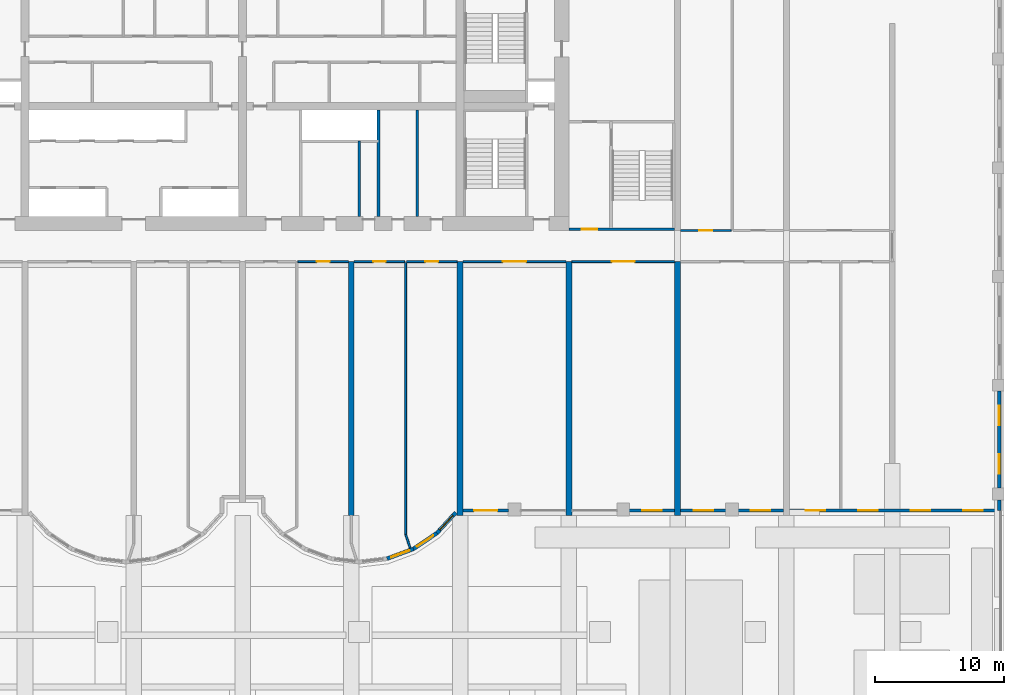
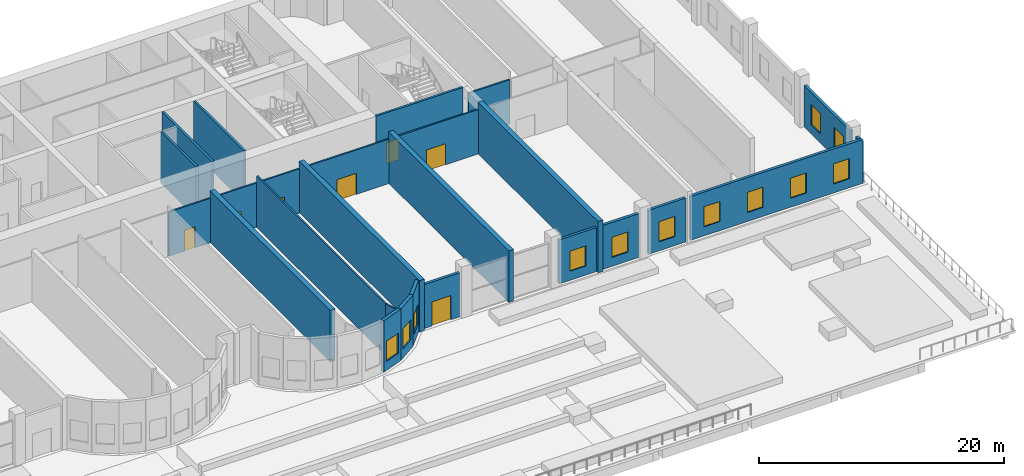
# One storey, part 12 of 20: 26 walls, 12 windows, 8 doors, 20 openings.
"""IFC4 building model written with IfcOpenShell, lengths in metres."""

from ifc_helpers import new_model, si_unit, direction, frame, frame_2d, origin, place, context, subcontext, project, spatial, rectangle, extrude, source, transform, mapped, material, layer, layer_set, type_object, element, fill, save


model = new_model("IFC4")

# Units and contexts
model_context = context("Model", 3, precision=1e-05, world=origin(), true_north=direction((0.0, 1.0)))
body_context = subcontext(model_context, "Body", "Model", "MODEL_VIEW")
ifc_project = project(units=[si_unit("LENGTHUNIT", "METRE"), si_unit("AREAUNIT", "SQUARE_METRE"), si_unit("VOLUMEUNIT", "CUBIC_METRE"), si_unit("PLANEANGLEUNIT", "RADIAN"), si_unit("MASSUNIT", "GRAM", prefix="KILO")], contexts=[model_context])

# Site, building, storey
site_placement = place(None, origin())
site = spatial("IfcSite", under=ifc_project, at=site_placement, CompositionType="ELEMENT")
building_placement = place(site_placement, origin())
building = spatial("IfcBuilding", under=site, at=building_placement, Name="Vanashikhar Sky Hotel", CompositionType="ELEMENT")
storey_placement = place(building_placement, frame((0.0, 0.0, 6.0)))
storey = spatial("IfcBuildingStorey", under=building, at=storey_placement, Name="L01", CompositionType="ELEMENT", Elevation=6.0)

# Walls
ifc_material_1 = material(Name="Concrete M80", Category="concrete")
ifc_layer_1 = layer(ifc_material_1, 0.449951171875)
ifc_layer_set_1 = layer_set([ifc_layer_1], Name="RC shear wall 450 Concrete M80")
wall_type_1 = type_object("IfcWallType", Name="RC shear wall 450 Concrete M80", PredefinedType="SHEAR", material=ifc_layer_set_1)
shared_shape_1 = source(origin(), body_context, "Body", "SweptSolid", [
    extrude(rectangle(XDim=19.60009765625, YDim=0.449951171875, at=frame_2d((9.800048828125, 0.0))), origin(), (0.0, 0.0, 1.0), 5.1201171875),
])
for number, where, z_axis, x_axis, name in (
    (1, (58.800048828125, 0.0, 0.0), (0.0, 0.0, 1.0), (0.0, 1.0, 0.0), "CW-L01-XW08-1"),
    (2, (67.199951171875, 0.0, 0.0), (0.0, 0.0, 1.0), (0.0, 1.0, 0.0), "CW-L01-XW09-1"),
    (3, (75.60009765625, 0.0, 0.0), (0.0, 0.0, 1.0), (0.0, 1.0, 0.0), "CW-L01-XW10-1"),
    (4, (84.0, 0.0, 0.0), (0.0, 0.0, 1.0), (0.0, 1.0, 0.0), "CW-L01-XW11-1"),
):
    element("IfcWall", number, at=place(storey_placement, frame(where, z_axis=z_axis, x_axis=x_axis)), inside=storey, type_object=wall_type_1, Name=name, PredefinedType="SHEAR", context=body_context, shape_type="MappedRepresentation", body=[
        mapped(shared_shape_1, transform((0.0, 0.0, 0.0), scale=1.0)),
    ])

# Wall, opening, window
ifc_material_2 = material(Name="Concrete M50", Category="concrete")
ifc_layer_2 = layer(ifc_material_2, 0.300048828125)
ifc_layer_set_2 = layer_set([ifc_layer_2], Name="Lobe wall 300")
wall_type_2 = type_object("IfcWallType", Name="Lobe wall 300", PredefinedType="SOLIDWALL", material=ifc_layer_set_2)
shared_shape_2 = source(origin(), body_context, "Body", "SweptSolid", [
    extrude(rectangle(XDim=2.17578125, YDim=0.300048828125, at=frame_2d((1.087890625, 0.0))), origin(), (0.0, 0.0, 1.0), 5.1201171875),
])
wall_1_placement = place(storey_placement, frame((63.59912109375, -2.58349609375, 0.0), z_axis=(0.0, 0.0, 1.0), x_axis=(0.829625727223, 0.558319937607, 0.0)))
wall_1 = element("IfcWall", 5, at=wall_1_placement, inside=storey, type_object=wall_type_2, Name="Lobe wall", PredefinedType="SOLIDWALL", context=body_context, shape_type="MappedRepresentation", body=[
    mapped(shared_shape_2, transform((0.0, 0.0, 0.0), scale=1.0)),
])
shared_shape_3 = source(origin(), body_context, "Body", "SweptSolid", [
    extrude(rectangle(XDim=1.5, YDim=2.0, at=frame_2d((0.75, 1.0))), frame((0.0, 0.16015625, 0.0), z_axis=(0.0, -1.0, 0.0), x_axis=(1.0, 0.0, 0.0)), (0.0, 0.0, 1.0), 0.320068359375),
])
opening_1_placement = place(wall_1_placement, frame((0.337890625, 0.0, 0.89990234375)))
opening_1 = element("IfcOpeningElement", 6, at=opening_1_placement, cuts=wall_1, Name="Opening WN-2", PredefinedType="OPENING", context=body_context, shape_type="MappedRepresentation", body=[
    mapped(shared_shape_3, transform((0.0, 0.0, 0.0), scale=1.0)),
])
ifc_material_3 = material(Name="Glass", Category="glass")
window_type = type_object("IfcWindowType", Name="Lobe window 1500 x 2000", PartitioningType="SINGLE_PANEL", PredefinedType="WINDOW", material=ifc_material_3)
shared_shape_4 = source(origin(), body_context, "Body", "SweptSolid", [
    extrude(rectangle(XDim=1.5, YDim=2.0, at=frame_2d((0.75, 1.0))), frame((0.0, 0.030029296875, 0.0), z_axis=(0.0, -1.0, 0.0), x_axis=(1.0, 0.0, 0.0)), (0.0, 0.0, 1.0), 0.06005859375),
])
window_1_placement = place(opening_1_placement, origin())
window_1 = element("IfcWindow", 7, at=window_1_placement, inside=storey, type_object=window_type, Name="Window WN-2", OverallHeight=2.0, OverallWidth=1.5, PartitioningType="SINGLE_PANEL", PredefinedType="WINDOW", context=body_context, shape_type="MappedRepresentation", body=[
    mapped(shared_shape_4, transform((0.0, 0.0, 0.0), scale=1.0)),
])
fill(opening_1, window_1)

shared_shape_5 = source(origin(), body_context, "Body", "SweptSolid", [
    extrude(rectangle(XDim=2.175537109375, YDim=0.300048828125, at=frame_2d((1.087890625, 0.0))), origin(), (0.0, 0.0, 1.0), 5.1201171875),
])
wall_2_placement = place(storey_placement, frame((61.5595703125, -3.34033203125, 0.0), z_axis=(0.0, 0.0, 1.0), x_axis=(0.937531979054, 0.347899106424, 0.0)))
wall_2 = element("IfcWall", 8, at=wall_2_placement, inside=storey, type_object=wall_type_2, Name="Lobe wall", PredefinedType="SOLIDWALL", context=body_context, shape_type="MappedRepresentation", body=[
    mapped(shared_shape_5, transform((0.0, 0.0, 0.0), scale=1.0)),
])
opening_2_placement = place(wall_2_placement, frame((0.337890625, 0.0, 0.89990234375)))
opening_2 = element("IfcOpeningElement", 9, at=opening_2_placement, cuts=wall_2, Name="Opening WN-2", PredefinedType="OPENING", context=body_context, shape_type="MappedRepresentation", body=[
    mapped(shared_shape_3, transform((0.0, 0.0, 0.0), scale=1.0)),
])
window_2_placement = place(opening_2_placement, origin())
window_2 = element("IfcWindow", 10, at=window_2_placement, inside=storey, type_object=window_type, Name="Window WN-2", OverallHeight=2.0, OverallWidth=1.5, PartitioningType="SINGLE_PANEL", PredefinedType="WINDOW", context=body_context, shape_type="MappedRepresentation", body=[
    mapped(shared_shape_4, transform((0.0, 0.0, 0.0), scale=1.0)),
])
fill(opening_2, window_2)

shared_shape_6 = source(origin(), body_context, "Body", "SweptSolid", [
    extrude(rectangle(XDim=2.162109375, YDim=0.300048828125, at=frame_2d((1.0810546875, 0.0))), origin(), (0.0, 0.0, 1.0), 5.1201171875),
])
wall_3_placement = place(storey_placement, frame((65.404296875, -1.36865234375, 0.0), z_axis=(0.0, 0.0, 1.0), x_axis=(0.67537173084, 0.737477474355, 0.0)))
wall_3 = element("IfcWall", 11, at=wall_3_placement, inside=storey, type_object=wall_type_2, Name="Lobe wall", PredefinedType="SOLIDWALL", context=body_context, shape_type="MappedRepresentation", body=[
    mapped(shared_shape_6, transform((0.0, 0.0, 0.0), scale=1.0)),
])
opening_3_placement = place(wall_3_placement, frame((0.3310546875, 0.0, 0.89990234375)))
opening_3 = element("IfcOpeningElement", 12, at=opening_3_placement, cuts=wall_3, Name="Opening WN-2", PredefinedType="OPENING", context=body_context, shape_type="MappedRepresentation", body=[
    mapped(shared_shape_3, transform((0.0, 0.0, 0.0), scale=1.0)),
])
window_3_placement = place(opening_3_placement, origin())
window_3 = element("IfcWindow", 13, at=window_3_placement, inside=storey, type_object=window_type, Name="Window WN-2", OverallHeight=2.0, OverallWidth=1.5, PartitioningType="SINGLE_PANEL", PredefinedType="WINDOW", context=body_context, shape_type="MappedRepresentation", body=[
    mapped(shared_shape_4, transform((0.0, 0.0, 0.0), scale=1.0)),
])
fill(opening_3, window_3)

# Wall, opening, door
ifc_layer_3 = layer(ifc_material_2, 0.25)
ifc_layer_set_3 = layer_set([ifc_layer_3], Name="Rear and end board-marked wall 250")
wall_type_3 = type_object("IfcWallType", Name="Rear and end board-marked wall 250", PredefinedType="SOLIDWALL", material=ifc_layer_set_3)
shared_shape_7 = source(origin(), body_context, "Body", "SweptSolid", [
    extrude(rectangle(XDim=3.52490234375, YDim=0.25, at=frame_2d((1.762451171875, 0.0))), origin(), (0.0, 0.0, 1.0), 4.3701171875),
])
wall_4_placement = place(storey_placement, frame((67.425048828125, 0.375, 0.0), z_axis=(0.0, 0.0, 1.0), x_axis=(1.0, 0.0, 0.0)))
wall_4 = element("IfcWall", 14, at=wall_4_placement, inside=storey, type_object=wall_type_3, Name="Podium external wall", PredefinedType="SOLIDWALL", context=body_context, shape_type="MappedRepresentation", body=[
    mapped(shared_shape_7, transform((0.0, 0.0, 0.0), scale=1.0)),
])
shared_shape_8 = source(origin(), body_context, "Body", "SweptSolid", [
    extrude(rectangle(XDim=1.800048828125, YDim=2.39990234375, at=frame_2d((0.89990234375, 1.199951171875))), frame((0.0, 0.135009765625, 0.0), z_axis=(0.0, -1.0, 0.0), x_axis=(1.0, 0.0, 0.0)), (0.0, 0.0, 1.0), 0.27001953125),
])
opening_4_placement = place(wall_4_placement, frame((0.862548828125, 0.0, 0.0)))
opening_4 = element("IfcOpeningElement", 15, at=opening_4_placement, cuts=wall_4, Name="Opening DX-2-101", PredefinedType="OPENING", context=body_context, shape_type="MappedRepresentation", body=[
    mapped(shared_shape_8, transform((0.0, 0.0, 0.0), scale=1.0)),
])
ifc_material_4 = material(Name="Aluminium", Category="aluminium")
door_type_1 = type_object("IfcDoorType", Name="Garden double door 1800 x 2400", OperationType="NOTDEFINED", PredefinedType="DOOR", material=ifc_material_4)
shared_shape_9 = source(origin(), body_context, "Body", "SweptSolid", [
    extrude(rectangle(XDim=1.800048828125, YDim=2.39990234375, at=frame_2d((0.89990234375, 1.199951171875))), frame((0.0, 0.02490234375, 0.0), z_axis=(0.0, -1.0, 0.0), x_axis=(1.0, 0.0, 0.0)), (0.0, 0.0, 1.0), 0.050048828125),
])
door_1_placement = place(opening_4_placement, origin())
door_1 = element("IfcDoor", 16, at=door_1_placement, inside=storey, type_object=door_type_1, Name="Garden double door", OperationType="DOUBLE_DOOR_SINGLE_SWING", OverallHeight=2.39990234375, OverallWidth=1.800048828125, PredefinedType="DOOR", context=body_context, shape_type="MappedRepresentation", body=[
    mapped(shared_shape_9, transform((0.0, 0.0, 0.0), scale=1.0)),
])
fill(opening_4, door_1)

# Wall, opening, window
wall_5_placement = place(storey_placement, frame((80.25, 0.375, 0.0), z_axis=(0.0, 0.0, 1.0), x_axis=(1.0, 0.0, 0.0)))
wall_5 = element("IfcWall", 17, at=wall_5_placement, inside=storey, type_object=wall_type_3, Name="Podium external wall", PredefinedType="SOLIDWALL", context=body_context, shape_type="MappedRepresentation", body=[
    mapped(shared_shape_7, transform((0.0, 0.0, 0.0), scale=1.0)),
])
shared_shape_10 = source(origin(), body_context, "Body", "SweptSolid", [
    extrude(rectangle(XDim=1.5, YDim=2.0, at=frame_2d((0.75, 1.0))), frame((0.0, 0.135009765625, 0.0), z_axis=(0.0, -1.0, 0.0), x_axis=(1.0, 0.0, 0.0)), (0.0, 0.0, 1.0), 0.27001953125),
])
opening_5_placement = place(wall_5_placement, frame((1.012451171875, 0.0, 0.89990234375)))
opening_5 = element("IfcOpeningElement", 18, at=opening_5_placement, cuts=wall_5, Name="Opening WN-2", PredefinedType="OPENING", context=body_context, shape_type="MappedRepresentation", body=[
    mapped(shared_shape_10, transform((0.0, 0.0, 0.0), scale=1.0)),
])
window_4_placement = place(opening_5_placement, origin())
window_4 = element("IfcWindow", 19, at=window_4_placement, inside=storey, type_object=window_type, Name="Window WN-2", OverallHeight=2.0, OverallWidth=1.5, PartitioningType="SINGLE_PANEL", PredefinedType="WINDOW", context=body_context, shape_type="MappedRepresentation", body=[
    mapped(shared_shape_4, transform((0.0, 0.0, 0.0), scale=1.0)),
])
fill(opening_5, window_4)

wall_6_placement = place(storey_placement, frame((84.22509765625, 0.375, 0.0), z_axis=(0.0, 0.0, 1.0), x_axis=(1.0, 0.0, 0.0)))
wall_6 = element("IfcWall", 20, at=wall_6_placement, inside=storey, type_object=wall_type_3, Name="Podium external wall", PredefinedType="SOLIDWALL", context=body_context, shape_type="MappedRepresentation", body=[
    mapped(shared_shape_7, transform((0.0, 0.0, 0.0), scale=1.0)),
])
opening_6_placement = place(wall_6_placement, frame((1.012451171875, 0.0, 0.89990234375)))
opening_6 = element("IfcOpeningElement", 21, at=opening_6_placement, cuts=wall_6, Name="Opening WN-2", PredefinedType="OPENING", context=body_context, shape_type="MappedRepresentation", body=[
    mapped(shared_shape_10, transform((0.0, 0.0, 0.0), scale=1.0)),
])
window_5_placement = place(opening_6_placement, origin())
window_5 = element("IfcWindow", 22, at=window_5_placement, inside=storey, type_object=window_type, Name="Window WN-2", OverallHeight=2.0, OverallWidth=1.5, PartitioningType="SINGLE_PANEL", PredefinedType="WINDOW", context=body_context, shape_type="MappedRepresentation", body=[
    mapped(shared_shape_4, transform((0.0, 0.0, 0.0), scale=1.0)),
])
fill(opening_6, window_5)

shared_shape_11 = source(origin(), body_context, "Body", "SweptSolid", [
    extrude(rectangle(XDim=3.525146484375, YDim=0.25, at=frame_2d((1.7626953125, 0.0))), origin(), (0.0, 0.0, 1.0), 4.3701171875),
])
wall_7_placement = place(storey_placement, frame((88.64990234375, 0.375, 0.0), z_axis=(0.0, 0.0, 1.0), x_axis=(1.0, 0.0, 0.0)))
wall_7 = element("IfcWall", 23, at=wall_7_placement, inside=storey, type_object=wall_type_3, Name="Podium external wall", PredefinedType="SOLIDWALL", context=body_context, shape_type="MappedRepresentation", body=[
    mapped(shared_shape_11, transform((0.0, 0.0, 0.0), scale=1.0)),
])
opening_7_placement = place(wall_7_placement, frame((1.012451171875, 0.0, 0.89990234375)))
opening_7 = element("IfcOpeningElement", 24, at=opening_7_placement, cuts=wall_7, Name="Opening WN-2", PredefinedType="OPENING", context=body_context, shape_type="MappedRepresentation", body=[
    mapped(shared_shape_10, transform((0.0, 0.0, 0.0), scale=1.0)),
])
window_6_placement = place(opening_7_placement, origin())
window_6 = element("IfcWindow", 25, at=window_6_placement, inside=storey, type_object=window_type, Name="Window WN-2", OverallHeight=2.0, OverallWidth=1.5, PartitioningType="SINGLE_PANEL", PredefinedType="WINDOW", context=body_context, shape_type="MappedRepresentation", body=[
    mapped(shared_shape_4, transform((0.0, 0.0, 0.0), scale=1.0)),
])
fill(opening_7, window_6)

# Wall, openings, windows
shared_shape_12 = source(origin(), body_context, "Body", "SweptSolid", [
    extrude(rectangle(XDim=16.199951171875, YDim=0.25, at=frame_2d((8.10009765625, 0.0))), origin(), (0.0, 0.0, 1.0), 4.3701171875),
])
wall_8_placement = place(storey_placement, frame((92.625, 0.375, 0.0), z_axis=(0.0, 0.0, 1.0), x_axis=(1.0, 0.0, 0.0)))
wall_8 = element("IfcWall", 26, at=wall_8_placement, inside=storey, type_object=wall_type_3, Name="Podium external wall", PredefinedType="SOLIDWALL", context=body_context, shape_type="MappedRepresentation", body=[
    mapped(shared_shape_12, transform((0.0, 0.0, 0.0), scale=1.0)),
])
opening_8_placement = place(wall_8_placement, frame((1.27490234375, 0.0, 0.89990234375)))
opening_8 = element("IfcOpeningElement", 27, at=opening_8_placement, cuts=wall_8, Name="Opening WN-2", PredefinedType="OPENING", context=body_context, shape_type="MappedRepresentation", body=[
    mapped(shared_shape_10, transform((0.0, 0.0, 0.0), scale=1.0)),
])
opening_9_placement = place(wall_8_placement, frame((5.324951171875, 0.0, 0.89990234375)))
opening_9 = element("IfcOpeningElement", 28, at=opening_9_placement, cuts=wall_8, Name="Opening WN-2", PredefinedType="OPENING", context=body_context, shape_type="MappedRepresentation", body=[
    mapped(shared_shape_10, transform((0.0, 0.0, 0.0), scale=1.0)),
])
opening_10_placement = place(wall_8_placement, frame((9.375, 0.0, 0.89990234375)))
opening_10 = element("IfcOpeningElement", 29, at=opening_10_placement, cuts=wall_8, Name="Opening WN-2", PredefinedType="OPENING", context=body_context, shape_type="MappedRepresentation", body=[
    mapped(shared_shape_10, transform((0.0, 0.0, 0.0), scale=1.0)),
])
opening_11_placement = place(wall_8_placement, frame((13.425048828125, 0.0, 0.89990234375)))
opening_11 = element("IfcOpeningElement", 30, at=opening_11_placement, cuts=wall_8, Name="Opening WN-2", PredefinedType="OPENING", context=body_context, shape_type="MappedRepresentation", body=[
    mapped(shared_shape_10, transform((0.0, 0.0, 0.0), scale=1.0)),
])
window_7_placement = place(opening_8_placement, origin())
window_7 = element("IfcWindow", 31, at=window_7_placement, inside=storey, type_object=window_type, Name="Window WN-2", OverallHeight=2.0, OverallWidth=1.5, PartitioningType="SINGLE_PANEL", PredefinedType="WINDOW", context=body_context, shape_type="MappedRepresentation", body=[
    mapped(shared_shape_4, transform((0.0, 0.0, 0.0), scale=1.0)),
])
fill(opening_8, window_7)
window_8_placement = place(opening_9_placement, origin())
window_8 = element("IfcWindow", 32, at=window_8_placement, inside=storey, type_object=window_type, Name="Window WN-2", OverallHeight=2.0, OverallWidth=1.5, PartitioningType="SINGLE_PANEL", PredefinedType="WINDOW", context=body_context, shape_type="MappedRepresentation", body=[
    mapped(shared_shape_4, transform((0.0, 0.0, 0.0), scale=1.0)),
])
fill(opening_9, window_8)
window_9_placement = place(opening_10_placement, origin())
window_9 = element("IfcWindow", 33, at=window_9_placement, inside=storey, type_object=window_type, Name="Window WN-2", OverallHeight=2.0, OverallWidth=1.5, PartitioningType="SINGLE_PANEL", PredefinedType="WINDOW", context=body_context, shape_type="MappedRepresentation", body=[
    mapped(shared_shape_4, transform((0.0, 0.0, 0.0), scale=1.0)),
])
fill(opening_10, window_9)
window_10_placement = place(opening_11_placement, origin())
window_10 = element("IfcWindow", 34, at=window_10_placement, inside=storey, type_object=window_type, Name="Window WN-2", OverallHeight=2.0, OverallWidth=1.5, PartitioningType="SINGLE_PANEL", PredefinedType="WINDOW", context=body_context, shape_type="MappedRepresentation", body=[
    mapped(shared_shape_4, transform((0.0, 0.0, 0.0), scale=1.0)),
])
fill(opening_11, window_10)

# Wall
shared_shape_13 = source(origin(), body_context, "Body", "SweptSolid", [
    extrude(rectangle(XDim=0.824951171875, YDim=0.25, at=frame_2d((0.41259765625, 0.0))), origin(), (0.0, 0.0, 1.0), 4.1201171875),
])
wall_9_placement = place(storey_placement, frame((108.824951171875, 0.375, 0.0), z_axis=(0.0, 0.0, 1.0), x_axis=(0.0, 1.0, 0.0)))
element("IfcWall", 35, at=wall_9_placement, inside=storey, type_object=wall_type_3, Name="Podium external wall", PredefinedType="SOLIDWALL", context=body_context, shape_type="MappedRepresentation", body=[
    mapped(shared_shape_13, transform((0.0, 0.0, 0.0), scale=1.0)),
])

# Wall, openings, windows
shared_shape_14 = source(origin(), body_context, "Body", "SweptSolid", [
    extrude(rectangle(XDim=7.5, YDim=0.25, at=frame_2d((3.75, 0.0))), origin(), (0.0, 0.0, 1.0), 4.1201171875),
])
wall_10_placement = place(storey_placement, frame((108.824951171875, 2.10009765625, 0.0), z_axis=(0.0, 0.0, 1.0), x_axis=(0.0, 1.0, 0.0)))
wall_10 = element("IfcWall", 36, at=wall_10_placement, inside=storey, type_object=wall_type_3, Name="Podium external wall", PredefinedType="SOLIDWALL", context=body_context, shape_type="MappedRepresentation", body=[
    mapped(shared_shape_14, transform((0.0, 0.0, 0.0), scale=1.0)),
])
opening_12_placement = place(wall_10_placement, frame((1.125, 0.0, 0.89990234375)))
opening_12 = element("IfcOpeningElement", 37, at=opening_12_placement, cuts=wall_10, Name="Opening WN-2", PredefinedType="OPENING", context=body_context, shape_type="MappedRepresentation", body=[
    mapped(shared_shape_10, transform((0.0, 0.0, 0.0), scale=1.0)),
])
opening_13_placement = place(wall_10_placement, frame((4.875, 0.0, 0.89990234375)))
opening_13 = element("IfcOpeningElement", 38, at=opening_13_placement, cuts=wall_10, Name="Opening WN-2", PredefinedType="OPENING", context=body_context, shape_type="MappedRepresentation", body=[
    mapped(shared_shape_10, transform((0.0, 0.0, 0.0), scale=1.0)),
])
window_11_placement = place(opening_12_placement, origin())
window_11 = element("IfcWindow", 39, at=window_11_placement, inside=storey, type_object=window_type, Name="Window WN-2", OverallHeight=2.0, OverallWidth=1.5, PartitioningType="SINGLE_PANEL", PredefinedType="WINDOW", context=body_context, shape_type="MappedRepresentation", body=[
    mapped(shared_shape_4, transform((0.0, 0.0, 0.0), scale=1.0)),
])
fill(opening_12, window_11)
window_12_placement = place(opening_13_placement, origin())
window_12 = element("IfcWindow", 40, at=window_12_placement, inside=storey, type_object=window_type, Name="Window WN-2", OverallHeight=2.0, OverallWidth=1.5, PartitioningType="SINGLE_PANEL", PredefinedType="WINDOW", context=body_context, shape_type="MappedRepresentation", body=[
    mapped(shared_shape_4, transform((0.0, 0.0, 0.0), scale=1.0)),
])
fill(opening_13, window_12)

# Walls
ifc_material_5 = material(Name="Gypsum board partition")
ifc_layer_4 = layer(ifc_material_5, 0.14990234375)
ifc_layer_set_4 = layer_set([ifc_layer_4], Name="Service partition 150")
wall_type_4 = type_object("IfcWallType", Name="Service partition 150", PredefinedType="PARTITIONING", material=ifc_layer_set_4)
shared_shape_15 = source(origin(), body_context, "Body", "SweptSolid", [
    extrude(rectangle(XDim=8.199951171875, YDim=0.199951171875, at=frame_2d((4.10009765625, 0.0))), origin(), (0.0, 0.0, 1.0), 5.1201171875),
])
for number, where, z_axis, x_axis, name in (
    (41, (60.89990234375, 23.10009765625, 0.0), (0.0, 0.0, 1.0), (0.0, 1.0, 0.0), "Service partition 150"),
    (42, (63.89990234375, 23.10009765625, 0.0), (0.0, 0.0, 1.0), (0.0, 1.0, 0.0), "Service partition 150"),
):
    element("IfcWall", number, at=place(storey_placement, frame(where, z_axis=z_axis, x_axis=x_axis)), inside=storey, type_object=wall_type_4, Name=name, PredefinedType="PARTITIONING", context=body_context, shape_type="MappedRepresentation", body=[
        mapped(shared_shape_15, transform((0.0, 0.0, 0.0), scale=1.0)),
    ])
shared_shape_16 = source(origin(), body_context, "Body", "SweptSolid", [
    extrude(rectangle(XDim=5.7998046875, YDim=0.199951171875, at=frame_2d((2.89990234375, 0.0))), origin(), (0.0, 0.0, 1.0), 5.1201171875),
])
wall_11_placement = place(storey_placement, frame((59.39990234375, 23.10009765625, 0.0), z_axis=(0.0, 0.0, 1.0), x_axis=(0.0, 1.0, 0.0)))
element("IfcWall", 43, at=wall_11_placement, inside=storey, type_object=wall_type_4, Name="Service partition 150", PredefinedType="PARTITIONING", context=body_context, shape_type="MappedRepresentation", body=[
    mapped(shared_shape_16, transform((0.0, 0.0, 0.0), scale=1.0)),
])

# Wall, opening, door
ifc_layer_5 = layer(ifc_material_2, 0.199951171875)
ifc_layer_set_5 = layer_set([ifc_layer_5], Name="Stair wall 200")
wall_type_5 = type_object("IfcWallType", Name="Stair wall 200", PredefinedType="SOLIDWALL", material=ifc_layer_set_5)
shared_shape_17 = source(origin(), body_context, "Body", "SweptSolid", [
    extrude(rectangle(XDim=8.1748046875, YDim=0.199951171875, at=frame_2d((4.08740234375, 0.0))), origin(), (0.0, 0.0, 1.0), 5.1201171875),
])
wall_12_placement = place(storey_placement, frame((83.77490234375, 22.10009765625, 0.0), z_axis=(0.0, 0.0, 1.0), x_axis=(-1.0, 0.0, 0.0)))
wall_12 = element("IfcWall", 44, at=wall_12_placement, inside=storey, type_object=wall_type_5, Name="Stair wall 200", PredefinedType="SOLIDWALL", context=body_context, shape_type="MappedRepresentation", body=[
    mapped(shared_shape_17, transform((0.0, 0.0, 0.0), scale=1.0)),
])
shared_shape_18 = source(origin(), body_context, "Body", "SweptSolid", [
    extrude(rectangle(XDim=1.199951171875, YDim=2.10009765625, at=frame_2d((0.60009765625, 1.050048828125))), frame((0.0, 0.10986328125, 0.0), z_axis=(0.0, -1.0, 0.0), x_axis=(1.0, 0.0, 0.0)), (0.0, 0.0, 1.0), 0.219970703125),
])
opening_14_placement = place(wall_12_placement, frame((5.97509765625, 0.0, 0.0)))
opening_14 = element("IfcOpeningElement", 45, at=opening_14_placement, cuts=wall_12, Name="Opening DC-2", PredefinedType="OPENING", context=body_context, shape_type="MappedRepresentation", body=[
    mapped(shared_shape_18, transform((0.0, 0.0, 0.0), scale=1.0)),
])
ifc_material_6 = material(Name="Steel", Category="steel")
door_type_2 = type_object("IfcDoorType", Name="Firefighting lobby door 1200 FD120", OperationType="NOTDEFINED", PredefinedType="DOOR", material=ifc_material_6)
shared_shape_19 = source(origin(), body_context, "Body", "SweptSolid", [
    extrude(rectangle(XDim=1.199951171875, YDim=2.10009765625, at=frame_2d((0.60009765625, 1.050048828125))), frame((0.0, 0.02490234375, 0.0), z_axis=(0.0, -1.0, 0.0), x_axis=(1.0, 0.0, 0.0)), (0.0, 0.0, 1.0), 0.050048828125),
])
door_2_placement = place(opening_14_placement, origin())
door_2 = element("IfcDoor", 46, at=door_2_placement, inside=storey, type_object=door_type_2, Name="Firefighting lobby door 1200 FD120", OperationType="SINGLE_SWING_RIGHT", OverallHeight=2.10009765625, OverallWidth=1.199951171875, PredefinedType="DOOR", context=body_context, shape_type="MappedRepresentation", body=[
    mapped(shared_shape_19, transform((0.0, 0.0, 0.0), scale=1.0)),
])
fill(opening_14, door_2)

ifc_material_7 = material(Name="Gypsum plasterboard partition")
ifc_layer_6 = layer(ifc_material_7, 0.14990234375)
ifc_layer_set_6 = layer_set([ifc_layer_6], Name="Corridor and demising partition 150")
wall_type_6 = type_object("IfcWallType", Name="Corridor and demising partition 150", PredefinedType="PARTITIONING", material=ifc_layer_set_6)
shared_shape_20 = source(origin(), body_context, "Body", "SweptSolid", [
    extrude(rectangle(XDim=3.900146484375, YDim=0.14990234375, at=frame_2d((1.9501953125, 0.0))), origin(), (0.0, 0.0, 1.0), 4.419921875),
])
wall_13_placement = place(storey_placement, frame((59.02490234375, 19.60009765625, 0.0), z_axis=(0.0, 0.0, 1.0), x_axis=(1.0, 0.0, 0.0)))
wall_13 = element("IfcWall", 47, at=wall_13_placement, inside=storey, type_object=wall_type_6, Name="W-L01-PW014", PredefinedType="PARTITIONING", context=body_context, shape_type="MappedRepresentation", body=[
    mapped(shared_shape_20, transform((0.0, 0.0, 0.0), scale=1.0)),
])
shared_shape_21 = source(origin(), body_context, "Body", "SweptSolid", [
    extrude(rectangle(XDim=1.0, YDim=2.10009765625, at=frame_2d((0.5, 1.050048828125))), frame((0.0, 0.0849609375, 0.0), z_axis=(0.0, -1.0, 0.0), x_axis=(1.0, 0.0, 0.0)), (0.0, 0.0, 1.0), 0.169921875),
])
opening_15_placement = place(wall_13_placement, frame((1.449951171875, 0.0, 0.0)))
opening_15 = element("IfcOpeningElement", 48, at=opening_15_placement, cuts=wall_13, Name="Opening D-01", PredefinedType="OPENING", context=body_context, shape_type="MappedRepresentation", body=[
    mapped(shared_shape_21, transform((0.0, 0.0, 0.0), scale=1.0)),
])
ifc_material_8 = material(Name="Timber fire door", Category="wood")
door_type_3 = type_object("IfcDoorType", Name="Guest entry door 1000 FD30S", OperationType="NOTDEFINED", PredefinedType="DOOR", material=ifc_material_8)
shared_shape_22 = source(origin(), body_context, "Body", "SweptSolid", [
    extrude(rectangle(XDim=1.0, YDim=2.10009765625, at=frame_2d((0.5, 1.050048828125))), frame((0.0, 0.02490234375, 0.0), z_axis=(0.0, -1.0, 0.0), x_axis=(1.0, 0.0, 0.0)), (0.0, 0.0, 1.0), 0.050048828125),
])
door_3_placement = place(opening_15_placement, origin())
door_3 = element("IfcDoor", 49, at=door_3_placement, inside=storey, type_object=door_type_3, Name="D-L01-011", OperationType="SINGLE_SWING_LEFT", OverallHeight=2.10009765625, OverallWidth=1.0, PredefinedType="DOOR", context=body_context, shape_type="MappedRepresentation", body=[
    mapped(shared_shape_22, transform((0.0, 0.0, 0.0), scale=1.0)),
])
fill(opening_15, door_3)

wall_14_placement = place(storey_placement, frame((63.074951171875, 19.60009765625, 0.0), z_axis=(0.0, 0.0, 1.0), x_axis=(1.0, 0.0, 0.0)))
wall_14 = element("IfcWall", 50, at=wall_14_placement, inside=storey, type_object=wall_type_6, Name="W-L01-PW015", PredefinedType="PARTITIONING", context=body_context, shape_type="MappedRepresentation", body=[
    mapped(shared_shape_20, transform((0.0, 0.0, 0.0), scale=1.0)),
])
opening_16_placement = place(wall_14_placement, frame((1.449951171875, 0.0, 0.0)))
opening_16 = element("IfcOpeningElement", 51, at=opening_16_placement, cuts=wall_14, Name="Opening D-01", PredefinedType="OPENING", context=body_context, shape_type="MappedRepresentation", body=[
    mapped(shared_shape_21, transform((0.0, 0.0, 0.0), scale=1.0)),
])
door_4_placement = place(opening_16_placement, origin())
door_4 = element("IfcDoor", 52, at=door_4_placement, inside=storey, type_object=door_type_3, Name="D-L01-012", OperationType="SINGLE_SWING_RIGHT", OverallHeight=2.10009765625, OverallWidth=1.0, PredefinedType="DOOR", context=body_context, shape_type="MappedRepresentation", body=[
    mapped(shared_shape_22, transform((0.0, 0.0, 0.0), scale=1.0)),
])
fill(opening_16, door_4)

shared_shape_23 = source(origin(), body_context, "Body", "SweptSolid", [
    extrude(rectangle(XDim=7.949951171875, YDim=0.14990234375, at=frame_2d((3.97509765625, 0.0))), origin(), (0.0, 0.0, 1.0), 4.419921875),
])
wall_15_placement = place(storey_placement, frame((67.425048828125, 19.60009765625, 0.0), z_axis=(0.0, 0.0, 1.0), x_axis=(1.0, 0.0, 0.0)))
wall_15 = element("IfcWall", 53, at=wall_15_placement, inside=storey, type_object=wall_type_6, Name="W-L01-PW017", PredefinedType="PARTITIONING", context=body_context, shape_type="MappedRepresentation", body=[
    mapped(shared_shape_23, transform((0.0, 0.0, 0.0), scale=1.0)),
])
shared_shape_24 = source(origin(), body_context, "Body", "SweptSolid", [
    extrude(rectangle(XDim=1.800048828125, YDim=2.10009765625, at=frame_2d((0.89990234375, 1.050048828125))), frame((0.0, 0.0849609375, 0.0), z_axis=(0.0, -1.0, 0.0), x_axis=(1.0, 0.0, 0.0)), (0.0, 0.0, 1.0), 0.169921875),
])
opening_17_placement = place(wall_15_placement, frame((3.074951171875, 0.0, 0.0)))
opening_17 = element("IfcOpeningElement", 54, at=opening_17_placement, cuts=wall_15, Name="Opening D-03", PredefinedType="OPENING", context=body_context, shape_type="MappedRepresentation", body=[
    mapped(shared_shape_24, transform((0.0, 0.0, 0.0), scale=1.0)),
])
door_type_4 = type_object("IfcDoorType", Name="Double leaf door 1800 FD30S", OperationType="NOTDEFINED", PredefinedType="DOOR", material=ifc_material_8)
shared_shape_25 = source(origin(), body_context, "Body", "SweptSolid", [
    extrude(rectangle(XDim=1.800048828125, YDim=2.10009765625, at=frame_2d((0.89990234375, 1.050048828125))), frame((0.0, 0.02490234375, 0.0), z_axis=(0.0, -1.0, 0.0), x_axis=(1.0, 0.0, 0.0)), (0.0, 0.0, 1.0), 0.050048828125),
])
door_5_placement = place(opening_17_placement, origin())
door_5 = element("IfcDoor", 55, at=door_5_placement, inside=storey, type_object=door_type_4, Name="D-L01-013", OperationType="DOUBLE_DOOR_SINGLE_SWING", OverallHeight=2.10009765625, OverallWidth=1.800048828125, PredefinedType="DOOR", context=body_context, shape_type="MappedRepresentation", body=[
    mapped(shared_shape_25, transform((0.0, 0.0, 0.0), scale=1.0)),
])
fill(opening_17, door_5)

wall_16_placement = place(storey_placement, frame((75.824951171875, 19.60009765625, 0.0), z_axis=(0.0, 0.0, 1.0), x_axis=(1.0, 0.0, 0.0)))
wall_16 = element("IfcWall", 56, at=wall_16_placement, inside=storey, type_object=wall_type_6, Name="W-L01-PW018", PredefinedType="PARTITIONING", context=body_context, shape_type="MappedRepresentation", body=[
    mapped(shared_shape_23, transform((0.0, 0.0, 0.0), scale=1.0)),
])
opening_18_placement = place(wall_16_placement, frame((3.074951171875, 0.0, 0.0)))
opening_18 = element("IfcOpeningElement", 57, at=opening_18_placement, cuts=wall_16, Name="Opening D-03", PredefinedType="OPENING", context=body_context, shape_type="MappedRepresentation", body=[
    mapped(shared_shape_24, transform((0.0, 0.0, 0.0), scale=1.0)),
])
door_6_placement = place(opening_18_placement, origin())
door_6 = element("IfcDoor", 58, at=door_6_placement, inside=storey, type_object=door_type_4, Name="D-L01-014", OperationType="DOUBLE_DOOR_SINGLE_SWING", OverallHeight=2.10009765625, OverallWidth=1.800048828125, PredefinedType="DOOR", context=body_context, shape_type="MappedRepresentation", body=[
    mapped(shared_shape_25, transform((0.0, 0.0, 0.0), scale=1.0)),
])
fill(opening_18, door_6)

shared_shape_26 = source(origin(), body_context, "Body", "SweptSolid", [
    extrude(rectangle(XDim=3.89990234375, YDim=0.14990234375, at=frame_2d((1.949951171875, 0.0))), origin(), (0.0, 0.0, 1.0), 4.419921875),
])
wall_17_placement = place(storey_placement, frame((54.675048828125, 19.60009765625, 0.0), z_axis=(0.0, 0.0, 1.0), x_axis=(1.0, 0.0, 0.0)))
wall_17 = element("IfcWall", 59, at=wall_17_placement, inside=storey, type_object=wall_type_6, Name="W-L01-PW012", PredefinedType="PARTITIONING", context=body_context, shape_type="MappedRepresentation", body=[
    mapped(shared_shape_26, transform((0.0, 0.0, 0.0), scale=1.0)),
])
opening_19_placement = place(wall_17_placement, frame((1.449951171875, 0.0, 0.0)))
opening_19 = element("IfcOpeningElement", 60, at=opening_19_placement, cuts=wall_17, Name="Opening D-01", PredefinedType="OPENING", context=body_context, shape_type="MappedRepresentation", body=[
    mapped(shared_shape_21, transform((0.0, 0.0, 0.0), scale=1.0)),
])
door_7_placement = place(opening_19_placement, origin())
door_7 = element("IfcDoor", 61, at=door_7_placement, inside=storey, type_object=door_type_3, Name="D-L01-010", OperationType="SINGLE_SWING_RIGHT", OverallHeight=2.10009765625, OverallWidth=1.0, PredefinedType="DOOR", context=body_context, shape_type="MappedRepresentation", body=[
    mapped(shared_shape_22, transform((0.0, 0.0, 0.0), scale=1.0)),
])
fill(opening_19, door_7)

wall_18_placement = place(storey_placement, frame((84.22509765625, 22.0, 0.0), z_axis=(0.0, 0.0, 1.0), x_axis=(1.0, 0.0, 0.0)))
wall_18 = element("IfcWall", 62, at=wall_18_placement, inside=storey, type_object=wall_type_6, Name="W-L01-PW031", PredefinedType="PARTITIONING", context=body_context, shape_type="MappedRepresentation", body=[
    mapped(shared_shape_26, transform((0.0, 0.0, 0.0), scale=1.0)),
])
opening_20_placement = place(wall_18_placement, frame((1.449951171875, 0.0, 0.0)))
opening_20 = element("IfcOpeningElement", 63, at=opening_20_placement, cuts=wall_18, Name="Opening D-01", PredefinedType="OPENING", context=body_context, shape_type="MappedRepresentation", body=[
    mapped(shared_shape_21, transform((0.0, 0.0, 0.0), scale=1.0)),
])
door_8_placement = place(opening_20_placement, origin())
door_8 = element("IfcDoor", 64, at=door_8_placement, inside=storey, type_object=door_type_3, Name="D-L01-023", OperationType="SINGLE_SWING_LEFT", OverallHeight=2.10009765625, OverallWidth=1.0, PredefinedType="DOOR", context=body_context, shape_type="MappedRepresentation", body=[
    mapped(shared_shape_22, transform((0.0, 0.0, 0.0), scale=1.0)),
])
fill(opening_20, door_8)

# Walls
shared_shape_27 = source(origin(), body_context, "Body", "SweptSolid", [
    extrude(rectangle(XDim=20.997802734375, YDim=0.14990234375, at=frame_2d((10.4990234375, 0.0))), origin(), (0.0, 0.0, 1.0), 5.1201171875),
])
wall_19_placement = place(storey_placement, frame((63.0, -1.472900390625, 0.0), z_axis=(0.0, 0.0, 1.0), x_axis=(0.0, 1.0, 0.0)))
element("IfcWall", 65, at=wall_19_placement, inside=storey, type_object=wall_type_6, Name="W-L01-PW016", PredefinedType="PARTITIONING", context=body_context, shape_type="MappedRepresentation", body=[
    mapped(shared_shape_27, transform((0.0, 0.0, 0.0), scale=1.0)),
])
shared_shape_28 = source(origin(), body_context, "Body", "SweptSolid", [
    extrude(rectangle(XDim=1.100830078125, YDim=0.14990234375, at=frame_2d((0.55029296875, 0.0))), origin(), (0.0, 0.0, 1.0), 5.1201171875),
])
wall_20_placement = place(storey_placement, frame((63.343017578125, -2.51904296875, 0.0), z_axis=(0.0, 0.0, 1.0), x_axis=(-0.311567081539, 0.950224159712, 0.0)))
element("IfcWall", 66, at=wall_20_placement, inside=storey, type_object=wall_type_6, Name="W-L01-PW016B0", PredefinedType="PARTITIONING", context=body_context, shape_type="MappedRepresentation", body=[
    mapped(shared_shape_28, transform((0.0, 0.0, 0.0), scale=1.0)),
])

save(model, "model.ifc")
